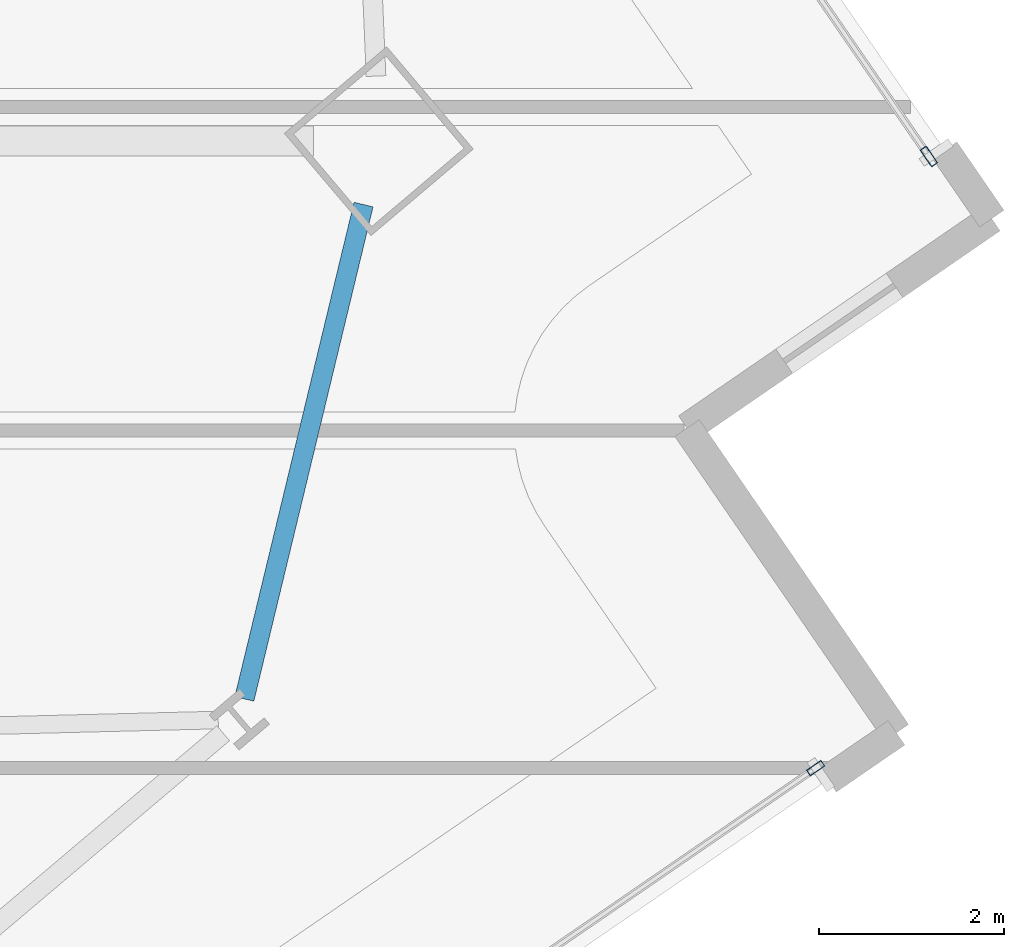
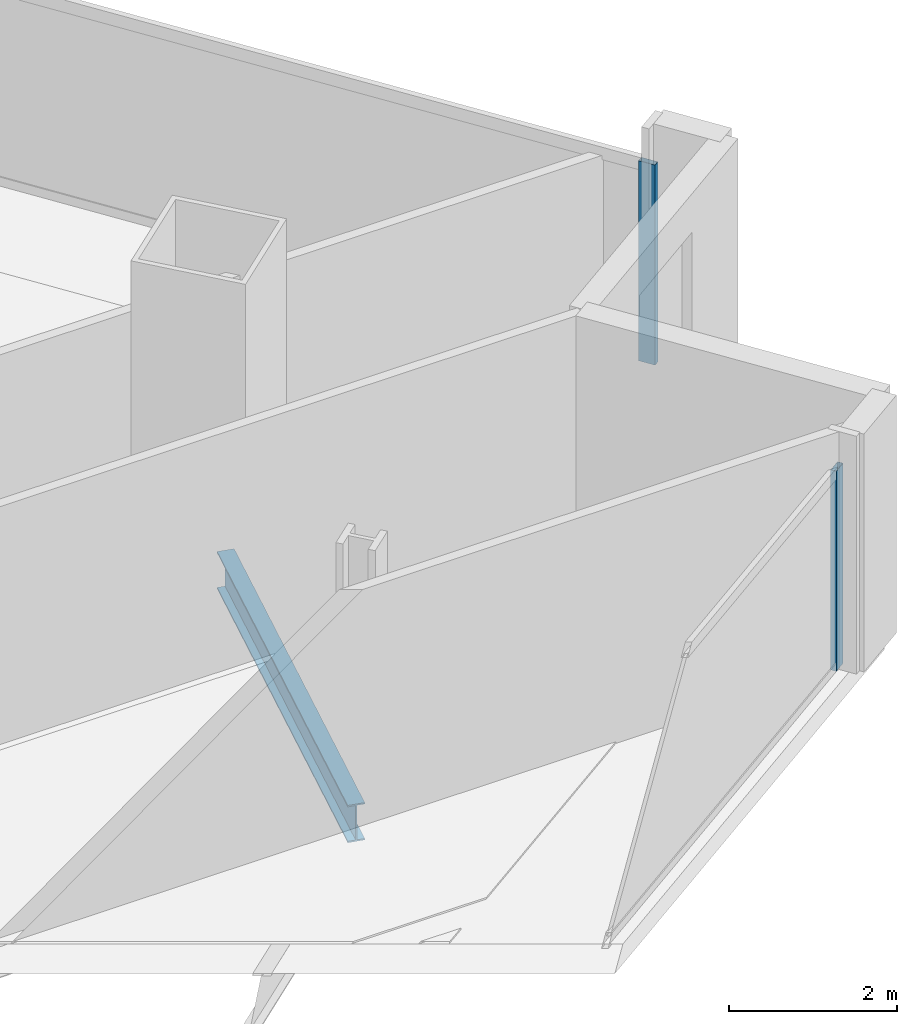
# One storey, part 10 of 29: 2 members, 1 beam, 2 elements without a shape of their own.
"""IFC4 building model written with IfcOpenShell, lengths in metres."""

from ifc_helpers import new_model, si_unit, direction, frame, origin, origin_2d, place, context, subcontext, project, spatial, hollow_rectangle, i_section, extrude, material, material_profile, profile_set, type_object, element, aggregate, save


model = new_model("IFC4")

# Units and contexts
model_context = context("Model", 3, precision=1e-05, world=origin(), true_north=direction((0.0, 1.0)))
body_context = subcontext(model_context, "Body", "Model", "MODEL_VIEW")
ifc_project = project(units=[si_unit("LENGTHUNIT", "METRE"), si_unit("AREAUNIT", "SQUARE_METRE"), si_unit("VOLUMEUNIT", "CUBIC_METRE"), si_unit("PLANEANGLEUNIT", "RADIAN"), si_unit("MASSUNIT", "GRAM", prefix="KILO")], contexts=[model_context])

# Site, building, storey
site_placement = place(None, origin())
site = spatial("IfcSite", under=ifc_project, at=site_placement, CompositionType="ELEMENT")
building_placement = place(site_placement, origin())
building = spatial("IfcBuilding", under=site, at=building_placement, Name="Haldenkirk Collegiate Tower", CompositionType="ELEMENT")
storey_placement = place(building_placement, frame((0.0, 0.0, 144.449951171875)))
storey = spatial("IfcBuildingStorey", under=building, at=storey_placement, Name="L35", CompositionType="ELEMENT", Elevation=144.449951171875)

# Beam
ifc_material_1 = material(Name="Steel ASTM A992 Grade 50", Category="steel")
ifc_material_profile_1 = material_profile(ifc_material_1, i_section(OverallWidth=0.2119140625, OverallDepth=0.5439453125, WebThickness=0.01318359375, FlangeThickness=0.021240234375, at=origin_2d()), Name="W21X83")
ifc_profile_set_1 = profile_set([ifc_material_profile_1], Name="Steel ASTM A992 Grade 50")
beam_type = type_object("IfcBeamType", Name="BM-SPANDREL-W21X83", PredefinedType="SPANDREL", material=ifc_profile_set_1)
beam_placement = place(storey_placement, frame((60.010009765625, 18.595458984375, -0.56201171875), z_axis=(0.23444531808, 0.972129308698, 0.0), x_axis=(-0.972129308698, 0.23444531808, 0.0)))
element("IfcBeam", 1, at=beam_placement, inside=storey, type_object=beam_type, Name="L35 perimeter spandrel beam 04", PredefinedType="SPANDREL", context=body_context, shape_type="SweptSolid", body=[
    extrude(i_section(OverallWidth=0.2119140625, OverallDepth=0.5439453125, WebThickness=0.01318359375, FlangeThickness=0.021240234375, at=origin_2d()), origin(), (0.0, 0.0, 1.0), 5.50146484375),
])

# Curtain wall, member
ifc_material_2 = material(Name="Anodised architectural bronze aluminium", Category="aluminium")
curtain_wall_type_1 = type_object("IfcCurtainWallType", Name="CW-SYS2-CONCAVE", PredefinedType="USERDEFINED", material=ifc_material_2)
curtain_wall_1_placement = place(storey_placement, origin())
curtain_wall_1 = element("IfcCurtainWall", 2, at=curtain_wall_1_placement, inside=storey, type_object=curtain_wall_type_1, Name="L35 South concave recessed bronze-anodised curtain wall", ObjectType="UNITISED CURTAIN WALL", PredefinedType="USERDEFINED")
ifc_material_profile_2 = material_profile(ifc_material_2, hollow_rectangle(XDim=0.074951171875, YDim=0.18994140625, WallThickness=0.0048828125, at=origin_2d()), Name="CW-MUL-02")
ifc_profile_set_2 = profile_set([ifc_material_profile_2], Name="Anodised architectural bronze aluminium")
member_type_1 = type_object("IfcMemberType", Name="CW-MUL-02", PredefinedType="MULLION", material=ifc_profile_set_2)
member_1_placement = place(storey_placement, frame((66.190673828125, 17.845947265625, 0.0), z_axis=(0.0, 0.0, 1.0), x_axis=(0.566404944893, -0.82412707661, 0.0)))
member_1 = element("IfcMember", 3, at=member_1_placement, type_object=member_type_1, Name="CW-02 mullion 1", PredefinedType="MULLION", context=body_context, shape_type="SweptSolid", body=[
    extrude(hollow_rectangle(XDim=0.074951171875, YDim=0.18994140625, WallThickness=0.0048828125, at=origin_2d()), origin(), (0.0, 0.0, 1.0), 2.9111328125),
])
aggregate(curtain_wall_1, [member_1])

curtain_wall_type_2 = type_object("IfcCurtainWallType", Name="CW-SYS1-CONVEX-LOW", PredefinedType="USERDEFINED", material=ifc_material_2)
curtain_wall_2_placement = place(storey_placement, origin())
curtain_wall_2 = element("IfcCurtainWall", 4, at=curtain_wall_2_placement, inside=storey, type_object=curtain_wall_type_2, Name="L35 Lower tower convex bronze-framed unitised curtain wall", ObjectType="UNITISED CURTAIN WALL", PredefinedType="USERDEFINED")
ifc_material_profile_3 = material_profile(ifc_material_2, hollow_rectangle(XDim=0.080078125, YDim=0.219970703125, WallThickness=0.0048828125, at=origin_2d()), Name="CW-MUL-1A")
ifc_profile_set_3 = profile_set([ifc_material_profile_3], Name="Anodised architectural bronze aluminium")
member_type_2 = type_object("IfcMemberType", Name="CW-MUL-1A", PredefinedType="MULLION", material=ifc_profile_set_3)
member_2_placement = place(storey_placement, frame((67.415283203125, 24.463623046875, 0.0), z_axis=(0.0, 0.0, 1.0), x_axis=(0.824126683962, 0.5664055162, 0.0)))
member_2 = element("IfcMember", 5, at=member_2_placement, type_object=member_type_2, Name="CW-1A mullion 5", PredefinedType="MULLION", context=body_context, shape_type="SweptSolid", body=[
    extrude(hollow_rectangle(XDim=0.080078125, YDim=0.219970703125, WallThickness=0.0048828125, at=origin_2d()), origin(), (0.0, 0.0, 1.0), 2.9111328125),
])
aggregate(curtain_wall_2, [member_2])

save(model, "model.ifc")
